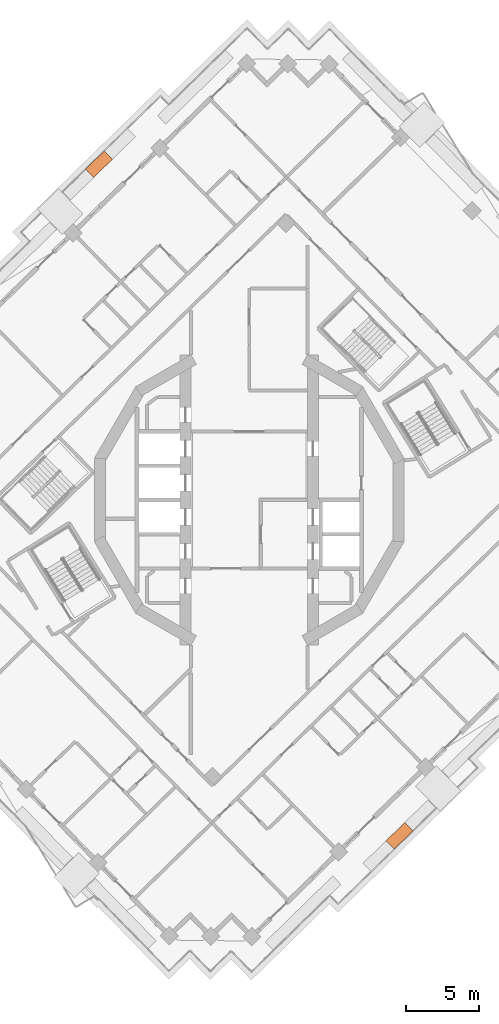
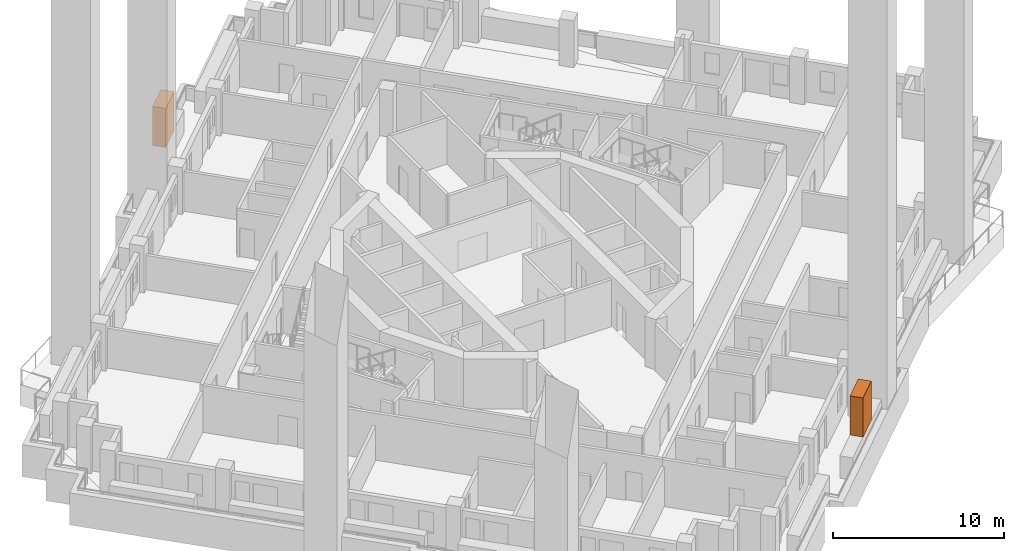
# One storey, part 17 of 17: 2 proxies.
"""IFC4 building model written with IfcOpenShell, lengths in metres."""

from ifc_helpers import new_model, si_unit, direction, frame, origin, origin_2d, place, context, subcontext, project, spatial, rectangle, extrude, element, save


model = new_model("IFC4")

# Units and contexts
model_context = context("Model", 3, precision=1e-05, world=origin(), true_north=direction((0.0, 1.0)))
body_context = subcontext(model_context, "Body", "Model", "MODEL_VIEW")
ifc_project = project(units=[si_unit("LENGTHUNIT", "METRE"), si_unit("AREAUNIT", "SQUARE_METRE"), si_unit("VOLUMEUNIT", "CUBIC_METRE"), si_unit("PLANEANGLEUNIT", "RADIAN"), si_unit("MASSUNIT", "GRAM", prefix="KILO")], contexts=[model_context])

# Site, building, storey
site_placement = place(None, origin())
site = spatial("IfcSite", under=ifc_project, at=site_placement, CompositionType="ELEMENT")
building_placement = place(site_placement, origin())
building = spatial("IfcBuilding", under=site, at=building_placement, Name="Cantera Rosa Tower", CompositionType="ELEMENT")
storey_placement = place(building_placement, frame((0.0, 0.0, 205.39990234375)))
storey = spatial("IfcBuildingStorey", under=building, at=storey_placement, Name="L43", CompositionType="ELEMENT", Elevation=205.39990234375)

# Proxies
for number, where, z_axis, x_axis, name in (
    (1, (-10.30712890625, 23.02783203125, 1.60009765625), (0.0, 0.0, 1.0), (-0.71528629107, -0.698831540364, 0.0), "TREE L43-07"),
    (2, (10.30712890625, -23.02783203125, 1.60009765625), (0.0, 0.0, 1.0), (0.71528629107, 0.698831540364, 0.0), "TREE L43-17"),
):
    element("IfcBuildingElementProxy", number, at=place(storey_placement, frame(where, z_axis=z_axis, x_axis=x_axis)), inside=storey, Name=name, ObjectType="TREE", PredefinedType="USERDEFINED", context=body_context, shape_type="SweptSolid", body=[
        extrude(rectangle(XDim=1.800048828125, YDim=0.800048828125, at=origin_2d()), origin(), (0.0, 0.0, 1.0), 2.800048828125),
    ])

save(model, "model.ifc")
